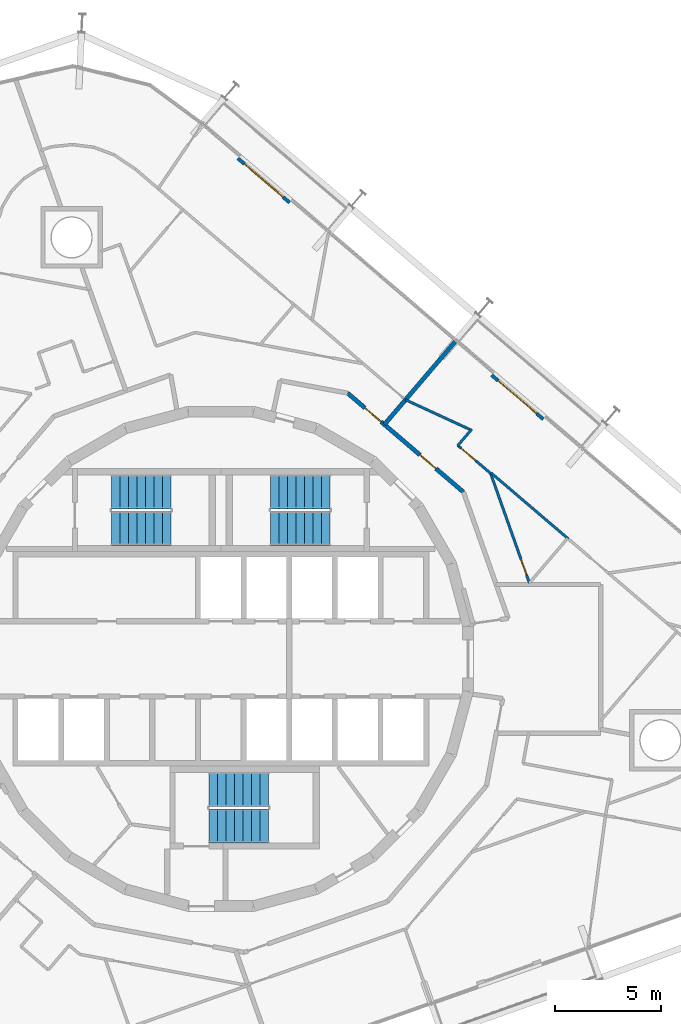
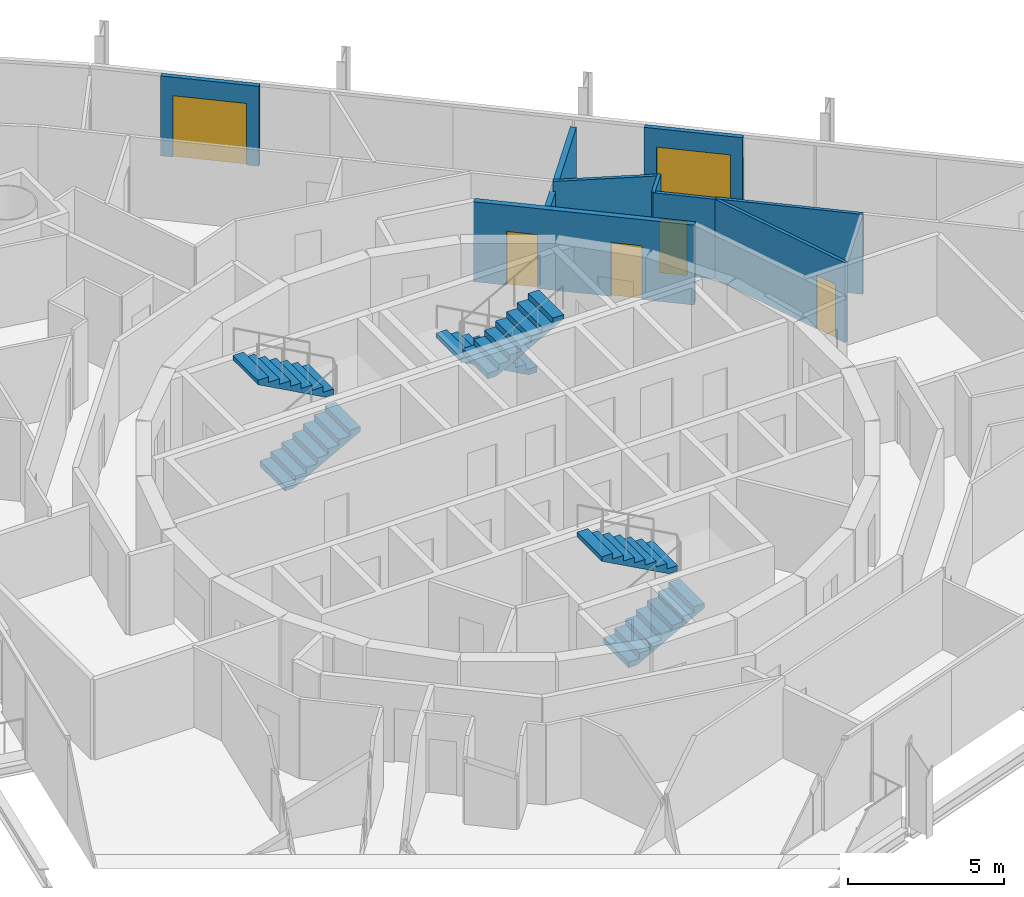
# One storey, part 16 of 17: 9 walls, 6 doors, 6 stair flights, 6 openings, 3 elements without a shape of their own.
"""IFC4 building model written with IfcOpenShell, lengths in metres."""

from ifc_helpers import new_model, si_unit, direction, frame, frame_2d, origin, place, context, subcontext, project, spatial, polyline, rectangle, outline, extrude, material, layer, layer_set, type_object, element, fill, aggregate, save


model = new_model("IFC4")

# Units and contexts
model_context = context("Model", 3, precision=1e-05, world=origin(), true_north=direction((0.0, 1.0)))
body_context = subcontext(model_context, "Body", "Model", "MODEL_VIEW")
ifc_project = project(units=[si_unit("LENGTHUNIT", "METRE"), si_unit("AREAUNIT", "SQUARE_METRE"), si_unit("VOLUMEUNIT", "CUBIC_METRE"), si_unit("PLANEANGLEUNIT", "RADIAN"), si_unit("MASSUNIT", "GRAM", prefix="KILO")], contexts=[model_context])

# Site, building, storey
site_placement = place(None, origin())
site = spatial("IfcSite", under=ifc_project, at=site_placement, CompositionType="ELEMENT")
building_placement = place(site_placement, origin())
building = spatial("IfcBuilding", under=site, at=building_placement, Name="Spindle Arch Residences", CompositionType="ELEMENT")
storey_placement = place(building_placement, frame((0.0, 0.0, 158.699951171875)))
storey = spatial("IfcBuildingStorey", under=building, at=storey_placement, Name="L39", CompositionType="ELEMENT", Elevation=158.699951171875)

# Wall, openings, doors
ifc_material_1 = material(Name="Calcium silicate block, plastered")
ifc_layer_1 = layer(ifc_material_1, 0.199951171875)
ifc_layer_set_1 = layer_set([ifc_layer_1], Name="Corridor wall 200")
wall_type_1 = type_object("IfcWallType", Name="Corridor wall 200", PredefinedType="STANDARD", material=ifc_layer_set_1)
wall_1_placement = place(storey_placement, frame((11.432861328125, 7.857666015625, 0.0), z_axis=(0.0, 0.0, 1.0), x_axis=(-0.760412154545, 0.649440801937, 0.0)))
wall_1 = element("IfcWall", 1, at=wall_1_placement, inside=storey, type_object=wall_type_1, Name="Corridor wall R4A0-W004", PredefinedType="STANDARD", context=body_context, shape_type="SweptSolid", body=[
    extrude(rectangle(XDim=7.180908203125, YDim=0.199951171875, at=frame_2d((3.59033203125, 0.0))), origin(), (0.0, 0.0, 1.0), 3.1201171875),
])
opening_1_placement = place(wall_1_placement, frame((1.699951171875, 0.0, 0.0)))
opening_1 = element("IfcOpeningElement", 2, at=opening_1_placement, cuts=wall_1, Name="Opening R4A0-FD01", PredefinedType="OPENING", context=body_context, shape_type="SweptSolid", body=[
    extrude(rectangle(XDim=1.0, YDim=2.10009765625, at=frame_2d((0.5, 1.050048828125))), frame((0.0, 0.10986328125, 0.0), z_axis=(0.0, -1.0, 0.0), x_axis=(1.0, 0.0, 0.0)), (0.0, 0.0, 1.0), 0.219970703125),
])
opening_2_placement = place(wall_1_placement, frame((5.1005859375, 0.0, 0.0)))
opening_2 = element("IfcOpeningElement", 3, at=opening_2_placement, cuts=wall_1, Name="Opening R4A0-FD02", PredefinedType="OPENING", context=body_context, shape_type="SweptSolid", body=[
    extrude(rectangle(XDim=1.0, YDim=2.10009765625, at=frame_2d((0.5, 1.050048828125))), frame((0.0, 0.10986328125, 0.0), z_axis=(0.0, -1.0, 0.0), x_axis=(1.0, 0.0, 0.0)), (0.0, 0.0, 1.0), 0.219970703125),
])
ifc_material_2 = material(Name="Timber, fire-resisting door set", Category="wood")
door_type_1 = type_object("IfcDoorType", Name="Flat entrance door 1000x2100", OperationType="NOTDEFINED", PredefinedType="DOOR", material=ifc_material_2)
door_1_placement = place(opening_1_placement, origin())
door_1 = element("IfcDoor", 4, at=door_1_placement, inside=storey, type_object=door_type_1, Name="Flat entrance door R4A0-FD01", OperationType="SINGLE_SWING_LEFT", OverallHeight=2.10009765625, OverallWidth=1.0, PredefinedType="DOOR", context=body_context, shape_type="SweptSolid", body=[
    extrude(rectangle(XDim=1.0, YDim=2.10009765625, at=frame_2d((0.5, 1.050048828125))), frame((0.0, 0.02490234375, 0.0), z_axis=(0.0, -1.0, 0.0), x_axis=(1.0, 0.0, 0.0)), (0.0, 0.0, 1.0), 0.050048828125),
])
fill(opening_1, door_1)
door_2_placement = place(opening_2_placement, origin())
door_2 = element("IfcDoor", 5, at=door_2_placement, inside=storey, type_object=door_type_1, Name="Flat entrance door R4A0-FD02", OperationType="SINGLE_SWING_RIGHT", OverallHeight=2.10009765625, OverallWidth=1.0, PredefinedType="DOOR", context=body_context, shape_type="SweptSolid", body=[
    extrude(rectangle(XDim=1.0, YDim=2.10009765625, at=frame_2d((0.5, 1.050048828125))), frame((0.0, 0.02490234375, 0.0), z_axis=(0.0, -1.0, 0.0), x_axis=(1.0, 0.0, 0.0)), (0.0, 0.0, 1.0), 0.050048828125),
])
fill(opening_2, door_2)

# Wall, opening, door
ifc_material_3 = material(Name="Plasterboard on steel studs", Category="steel")
ifc_layer_2 = layer(ifc_material_3, 0.1201171875)
ifc_layer_set_2 = layer_set([ifc_layer_2], Name="Flat partition 120")
wall_type_2 = type_object("IfcWallType", Name="Flat partition 120", PredefinedType="PARTITIONING", material=ifc_layer_set_2)
wall_2_placement = place(storey_placement, frame((14.540771484375, 3.57470703125, 0.0), z_axis=(0.0, 0.0, 1.0), x_axis=(-0.333799280318, 0.942644174893, 0.0)))
wall_2 = element("IfcWall", 6, at=wall_2_placement, inside=storey, type_object=wall_type_2, Name="Flat partition R4A0-W039", PredefinedType="PARTITIONING", context=body_context, shape_type="SweptSolid", body=[
    extrude(rectangle(XDim=5.476806640625, YDim=0.1201171875, at=frame_2d((2.73828125, 0.0))), origin(), (0.0, 0.0, 1.0), 3.1201171875),
])
opening_3_placement = place(wall_2_placement, frame((0.39990234375, 0.0, 0.0)))
opening_3 = element("IfcOpeningElement", 7, at=opening_3_placement, cuts=wall_2, Name="Opening R4A0-BD01", PredefinedType="OPENING", context=body_context, shape_type="SweptSolid", body=[
    extrude(rectangle(XDim=0.800048828125, YDim=2.10009765625, at=frame_2d((0.39990234375, 1.050048828125))), frame((0.0, 0.070068359375, 0.0), z_axis=(0.0, -1.0, 0.0), x_axis=(1.0, 0.0, 0.0)), (0.0, 0.0, 1.0), 0.14013671875),
])
ifc_material_4 = material(Name="Timber door set", Category="wood")
door_type_2 = type_object("IfcDoorType", Name="Bathroom door 800x2100", OperationType="NOTDEFINED", PredefinedType="DOOR", material=ifc_material_4)
door_3_placement = place(opening_3_placement, origin())
door_3 = element("IfcDoor", 8, at=door_3_placement, inside=storey, type_object=door_type_2, Name="Bathroom door R4A0-BD01", OperationType="SINGLE_SWING_LEFT", OverallHeight=2.10009765625, OverallWidth=0.800048828125, PredefinedType="DOOR", context=body_context, shape_type="SweptSolid", body=[
    extrude(rectangle(XDim=0.800048828125, YDim=2.10009765625, at=frame_2d((0.39990234375, 1.050048828125))), frame((0.0, 0.02490234375, 0.0), z_axis=(0.0, -1.0, 0.0), x_axis=(1.0, 0.0, 0.0)), (0.0, 0.0, 1.0), 0.050048828125),
])
fill(opening_3, door_3)

wall_3_placement = place(storey_placement, frame((12.712646484375, 8.7373046875, 0.0), z_axis=(0.0, 0.0, 1.0), x_axis=(-0.760410825807, 0.649442357716, 0.0)))
wall_3 = element("IfcWall", 9, at=wall_3_placement, inside=storey, type_object=wall_type_2, Name="Flat partition R4A0-W040", PredefinedType="PARTITIONING", context=body_context, shape_type="SweptSolid", body=[
    extrude(rectangle(XDim=2.028564453125, YDim=0.1201171875, at=frame_2d((1.01416015625, 0.0))), origin(), (0.0, 0.0, 1.0), 3.1201171875),
])
opening_4_placement = place(wall_3_placement, frame((0.9287109375, 0.0, 0.0)))
opening_4 = element("IfcOpeningElement", 10, at=opening_4_placement, cuts=wall_3, Name="Opening R4A0-ID01", PredefinedType="OPENING", context=body_context, shape_type="SweptSolid", body=[
    extrude(rectangle(XDim=0.89990234375, YDim=2.10009765625, at=frame_2d((0.449951171875, 1.050048828125))), frame((0.0, 0.070068359375, 0.0), z_axis=(0.0, -1.0, 0.0), x_axis=(1.0, 0.0, 0.0)), (0.0, 0.0, 1.0), 0.14013671875),
])
ifc_material_5 = material(Name="Timber door set", Category="wood")
door_type_3 = type_object("IfcDoorType", Name="Room door 900x2100", OperationType="NOTDEFINED", PredefinedType="DOOR", material=ifc_material_5)
door_4_placement = place(opening_4_placement, origin())
door_4 = element("IfcDoor", 11, at=door_4_placement, inside=storey, type_object=door_type_3, Name="Room door R4A0-ID01", OperationType="SINGLE_SWING_LEFT", OverallHeight=2.10009765625, OverallWidth=0.89990234375, PredefinedType="DOOR", context=body_context, shape_type="SweptSolid", body=[
    extrude(rectangle(XDim=0.89990234375, YDim=2.10009765625, at=frame_2d((0.449951171875, 1.050048828125))), frame((0.0, 0.02490234375, 0.0), z_axis=(0.0, -1.0, 0.0), x_axis=(1.0, 0.0, 0.0)), (0.0, 0.0, 1.0), 0.050048828125),
])
fill(opening_4, door_4)

# Walls
wall_4_placement = place(storey_placement, frame((12.734130859375, 8.76220703125, 0.0), z_axis=(0.0, 0.0, 1.0), x_axis=(0.760390484255, -0.649466174219, 0.0)))
element("IfcWall", 12, at=wall_4_placement, inside=storey, type_object=wall_type_2, Name="Flat partition R4A0-W041", PredefinedType="PARTITIONING", context=body_context, shape_type="SweptSolid", body=[
    extrude(rectangle(XDim=4.78271484375, YDim=0.1201171875, at=frame_2d((2.391357421875, 0.0))), origin(), (0.0, 0.0, 1.0), 3.1201171875),
])
wall_5_placement = place(storey_placement, frame((11.152587890625, 10.0341796875, 0.0), z_axis=(0.0, 0.0, 1.0), x_axis=(0.649381401329, 0.760462882466, 0.0)))
element("IfcWall", 13, at=wall_5_placement, inside=storey, type_object=wall_type_2, Name="Flat partition R4A0-W042", PredefinedType="PARTITIONING", context=body_context, shape_type="SweptSolid", body=[
    extrude(rectangle(XDim=1.041748046875, YDim=0.1201171875, at=frame_2d((0.52099609375, 0.0))), origin(), (0.0, 0.0, 1.0), 3.1201171875),
])
wall_6_placement = place(storey_placement, frame((11.790283203125, 10.78076171875, 0.0), z_axis=(0.0, 0.0, 1.0), x_axis=(-0.907999296286, 0.418971691101, 0.0)))
element("IfcWall", 14, at=wall_6_placement, inside=storey, type_object=wall_type_2, Name="Flat partition R4A0-W043", PredefinedType="PARTITIONING", context=body_context, shape_type="SweptSolid", body=[
    extrude(rectangle(XDim=3.4013671875, YDim=0.1201171875, at=frame_2d((1.70068359375, 0.0))), origin(), (0.0, 0.0, 1.0), 3.1201171875),
])
ifc_material_6 = material(Name="Calcium silicate block, plastered")
ifc_layer_3 = layer(ifc_material_6, 0.199951171875)
ifc_layer_set_3 = layer_set([ifc_layer_3], Name="Flat party wall 200 under beam 2730")
wall_type_3 = type_object("IfcWallType", Name="Flat party wall 200 under beam 2730", PredefinedType="STANDARD", material=ifc_layer_set_3)
wall_7_placement = place(storey_placement, frame((11.0400390625, 14.943359375, 0.0), z_axis=(0.0, 0.0, 1.0), x_axis=(-0.649442880087, -0.760410379666, 0.0)))
element("IfcWall", 15, at=wall_7_placement, inside=storey, type_object=wall_type_3, Name="Flat party wall R4A0-W027", PredefinedType="STANDARD", context=body_context, shape_type="SweptSolid", body=[
    extrude(rectangle(XDim=5.1328125, YDim=0.199951171875, at=frame_2d((2.56640625, 0.0))), origin(), (0.0, 0.0, 1.0), 2.72998046875),
])

# Wall, opening, door
ifc_material_7 = material(Name="Non-combustible mineral wool insulated aluminium faced external wall (K0)", Category="aluminium")
ifc_layer_4 = layer(ifc_material_7, 0.159912109375)
ifc_layer_set_4 = layer_set([ifc_layer_4], Name="Insulated external wall panel 160")
wall_type_4 = type_object("IfcWallType", Name="Insulated external wall panel 160", PredefinedType="STANDARD", material=ifc_layer_set_4)
wall_8_placement = place(storey_placement, frame((15.193115234375, 11.291015625, 0.0), z_axis=(0.0, 0.0, 1.0), x_axis=(-0.760391731187, 0.649464714317, 0.0)))
wall_8 = element("IfcWall", 16, at=wall_8_placement, inside=storey, type_object=wall_type_4, Name="External wall L39 bay 7", PredefinedType="STANDARD", context=body_context, shape_type="SweptSolid", body=[
    extrude(rectangle(XDim=3.2001953125, YDim=0.159912109375, at=frame_2d((1.60009765625, 0.0))), origin(), (0.0, 0.0, 1.0), 3.1201171875),
])
opening_5_placement = place(wall_8_placement, frame((0.39990234375, 0.0, 0.0)))
opening_5 = element("IfcOpeningElement", 17, at=opening_5_placement, cuts=wall_8, Name="Opening BD07", PredefinedType="OPENING", context=body_context, shape_type="SweptSolid", body=[
    extrude(rectangle(XDim=2.39990234375, YDim=2.39990234375, at=frame_2d((1.199951171875, 1.199951171875))), frame((0.0, 0.08984375, 0.0), z_axis=(0.0, -1.0, 0.0), x_axis=(1.0, 0.0, 0.0)), (0.0, 0.0, 1.0), 0.179931640625),
])
ifc_material_8 = material(Name="Bronze aluminium frame, tinted double glazing", Category="aluminium")
door_type_4 = type_object("IfcDoorType", Name="Sliding glazed balcony door 2400x2400", OperationType="DOUBLE_DOOR_SLIDING", PredefinedType="DOOR", material=ifc_material_8)
door_5_placement = place(opening_5_placement, origin())
door_5 = element("IfcDoor", 18, at=door_5_placement, inside=storey, type_object=door_type_4, Name="Balcony door BD07", OperationType="DOUBLE_DOOR_SLIDING", OverallHeight=2.39990234375, OverallWidth=2.39990234375, PredefinedType="DOOR", context=body_context, shape_type="SweptSolid", body=[
    extrude(rectangle(XDim=2.39990234375, YDim=2.39990234375, at=frame_2d((1.199951171875, 1.199951171875))), frame((0.0, 0.02490234375, 0.0), z_axis=(0.0, -1.0, 0.0), x_axis=(1.0, 0.0, 0.0)), (0.0, 0.0, 1.0), 0.050048828125),
])
fill(opening_5, door_5)

wall_9_placement = place(storey_placement, frame((3.239501953125, 21.50048828125, 0.0), z_axis=(0.0, 0.0, 1.0), x_axis=(-0.760429407868, 0.649420599957, 0.0)))
wall_9 = element("IfcWall", 19, at=wall_9_placement, inside=storey, type_object=wall_type_4, Name="External wall L39 bay 9", PredefinedType="STANDARD", context=body_context, shape_type="SweptSolid", body=[
    extrude(rectangle(XDim=3.199951171875, YDim=0.159912109375, at=frame_2d((1.60009765625, 0.0))), origin(), (0.0, 0.0, 1.0), 3.1201171875),
])
opening_6_placement = place(wall_9_placement, frame((0.39990234375, 0.0, 0.0)))
opening_6 = element("IfcOpeningElement", 20, at=opening_6_placement, cuts=wall_9, Name="Opening BD09", PredefinedType="OPENING", context=body_context, shape_type="SweptSolid", body=[
    extrude(rectangle(XDim=2.39990234375, YDim=2.39990234375, at=frame_2d((1.199951171875, 1.199951171875))), frame((0.0, 0.08984375, 0.0), z_axis=(0.0, -1.0, 0.0), x_axis=(1.0, 0.0, 0.0)), (0.0, 0.0, 1.0), 0.179931640625),
])
door_6_placement = place(opening_6_placement, origin())
door_6 = element("IfcDoor", 21, at=door_6_placement, inside=storey, type_object=door_type_4, Name="Balcony door BD09", OperationType="DOUBLE_DOOR_SLIDING", OverallHeight=2.39990234375, OverallWidth=2.39990234375, PredefinedType="DOOR", context=body_context, shape_type="SweptSolid", body=[
    extrude(rectangle(XDim=2.39990234375, YDim=2.39990234375, at=frame_2d((1.199951171875, 1.199951171875))), frame((0.0, 0.02490234375, 0.0), z_axis=(0.0, -1.0, 0.0), x_axis=(1.0, 0.0, 0.0)), (0.0, 0.0, 1.0), 0.050048828125),
])
fill(opening_6, door_6)

# Stair, stair flights
ifc_material_9 = material(Name="Concrete C50/60", Category="concrete")
stair_type = type_object("IfcStairType", Name="Exit stair 16 risers", PredefinedType="HALF_TURN_STAIR", material=ifc_material_9)
stair_1_placement = place(storey_placement, origin())
stair_1 = element("IfcStair", 22, at=stair_1_placement, inside=storey, type_object=stair_type, Name="L39 Exit stair ST1", PredefinedType="HALF_TURN_STAIR")
ifc_material_10 = material(Name="Concrete C50/60", Category="concrete")
stair_flight_type = type_object("IfcStairFlightType", Name="Exit stair flight", PredefinedType="STRAIGHT", material=ifc_material_10)
stair_flight_1_placement = place(storey_placement, frame((5.14990234375, 7.8701171875, 0.0), z_axis=(0.0, 0.0, 1.0), x_axis=(-1.0, 0.0, 0.0)))
stair_flight_1 = element("IfcStairFlight", 23, at=stair_flight_1_placement, type_object=stair_flight_type, Name="ST1 flight 1", NumberOfRisers=8, NumberOfTreads=7, PredefinedType="STRAIGHT", RiserHeight=0.21875, TreadLength=0.4, context=body_context, shape_type="SweptSolid", body=[
    extrude(outline(polyline([(0.0, 0.0), (0.0, 0.21875), (0.39990234375, 0.21875), (0.39990234375, 0.4375), (0.800048828125, 0.4375), (0.800048828125, 0.65625), (1.199951171875, 0.65625), (1.199951171875, 0.875), (1.60009765625, 0.875), (1.60009765625, 1.09375), (2.0, 1.09375), (2.0, 1.3125), (2.39990234375, 1.3125), (2.39990234375, 1.53125), (2.800048828125, 1.53125), (2.800048828125, 1.75), (2.800048828125, 1.3603515625), (0.3125, 0.0), (0.0, 0.0)])), frame((0.0, 0.800048828125, 0.0), z_axis=(0.0, -1.0, 0.0), x_axis=(1.0, 0.0, 0.0)), (0.0, 0.0, 1.0), 1.60009765625),
])
stair_flight_2_placement = place(storey_placement, frame((2.35009765625, 6.14990234375, 1.75), z_axis=(0.0, 0.0, 1.0), x_axis=(1.0, 0.0, 0.0)))
stair_flight_2 = element("IfcStairFlight", 24, at=stair_flight_2_placement, type_object=stair_flight_type, Name="ST1 flight 2", NumberOfRisers=8, NumberOfTreads=7, PredefinedType="STRAIGHT", RiserHeight=0.21875, TreadLength=0.4, context=body_context, shape_type="SweptSolid", body=[
    extrude(outline(polyline([(0.0, 0.0), (0.0, 0.21875), (0.39990234375, 0.21875), (0.39990234375, 0.4375), (0.800048828125, 0.4375), (0.800048828125, 0.65625), (1.199951171875, 0.65625), (1.199951171875, 0.875), (1.60009765625, 0.875), (1.60009765625, 1.09375), (2.0, 1.09375), (2.0, 1.3125), (2.39990234375, 1.3125), (2.39990234375, 1.53125), (2.800048828125, 1.53125), (2.800048828125, 1.75), (2.800048828125, 1.3603515625), (0.3125, 0.0), (0.0, 0.0)])), frame((0.0, 0.800048828125, 0.0), z_axis=(0.0, -1.0, 0.0), x_axis=(1.0, 0.0, 0.0)), (0.0, 0.0, 1.0), 1.60009765625),
])
aggregate(stair_1, [stair_flight_1, stair_flight_2])

stair_2_placement = place(storey_placement, origin())
stair_2 = element("IfcStair", 25, at=stair_2_placement, inside=storey, type_object=stair_type, Name="L39 Exit stair ST2", PredefinedType="HALF_TURN_STAIR")
stair_flight_3_placement = place(storey_placement, frame((-5.14990234375, 6.14990234375, 0.0), z_axis=(0.0, 0.0, 1.0), x_axis=(1.0, 0.0, 0.0)))
stair_flight_3 = element("IfcStairFlight", 26, at=stair_flight_3_placement, type_object=stair_flight_type, Name="ST2 flight 1", NumberOfRisers=8, NumberOfTreads=7, PredefinedType="STRAIGHT", RiserHeight=0.21875, TreadLength=0.4, context=body_context, shape_type="SweptSolid", body=[
    extrude(outline(polyline([(0.0, 0.0), (0.0, 0.21875), (0.39990234375, 0.21875), (0.39990234375, 0.4375), (0.800048828125, 0.4375), (0.800048828125, 0.65625), (1.199951171875, 0.65625), (1.199951171875, 0.875), (1.60009765625, 0.875), (1.60009765625, 1.09375), (2.0, 1.09375), (2.0, 1.3125), (2.39990234375, 1.3125), (2.39990234375, 1.53125), (2.800048828125, 1.53125), (2.800048828125, 1.75), (2.800048828125, 1.3603515625), (0.3125, 0.0), (0.0, 0.0)])), frame((0.0, 0.800048828125, 0.0), z_axis=(0.0, -1.0, 0.0), x_axis=(1.0, 0.0, 0.0)), (0.0, 0.0, 1.0), 1.60009765625),
])
stair_flight_4_placement = place(storey_placement, frame((-2.35009765625, 7.8701171875, 1.75), z_axis=(0.0, 0.0, 1.0), x_axis=(-1.0, 0.0, 0.0)))
stair_flight_4 = element("IfcStairFlight", 27, at=stair_flight_4_placement, type_object=stair_flight_type, Name="ST2 flight 2", NumberOfRisers=8, NumberOfTreads=7, PredefinedType="STRAIGHT", RiserHeight=0.21875, TreadLength=0.4, context=body_context, shape_type="SweptSolid", body=[
    extrude(outline(polyline([(0.0, 0.0), (0.0, 0.21875), (0.39990234375, 0.21875), (0.39990234375, 0.4375), (0.800048828125, 0.4375), (0.800048828125, 0.65625), (1.199951171875, 0.65625), (1.199951171875, 0.875), (1.60009765625, 0.875), (1.60009765625, 1.09375), (2.0, 1.09375), (2.0, 1.3125), (2.39990234375, 1.3125), (2.39990234375, 1.53125), (2.800048828125, 1.53125), (2.800048828125, 1.75), (2.800048828125, 1.3603515625), (0.3125, 0.0), (0.0, 0.0)])), frame((0.0, 0.800048828125, 0.0), z_axis=(0.0, -1.0, 0.0), x_axis=(1.0, 0.0, 0.0)), (0.0, 0.0, 1.0), 1.60009765625),
])
aggregate(stair_2, [stair_flight_3, stair_flight_4])

stair_3_placement = place(storey_placement, origin())
stair_3 = element("IfcStair", 28, at=stair_3_placement, inside=storey, type_object=stair_type, Name="L39 Exit stair ST3", PredefinedType="HALF_TURN_STAIR")
stair_flight_5_placement = place(storey_placement, frame((-0.550048828125, -7.8701171875, 0.0), z_axis=(0.0, 0.0, 1.0), x_axis=(1.0, 0.0, 0.0)))
stair_flight_5 = element("IfcStairFlight", 29, at=stair_flight_5_placement, type_object=stair_flight_type, Name="ST3 flight 1", NumberOfRisers=8, NumberOfTreads=7, PredefinedType="STRAIGHT", RiserHeight=0.21875, TreadLength=0.4, context=body_context, shape_type="SweptSolid", body=[
    extrude(outline(polyline([(0.0, 0.0), (0.0, 0.21875), (0.39990234375, 0.21875), (0.39990234375, 0.4375), (0.800048828125, 0.4375), (0.800048828125, 0.65625), (1.199951171875, 0.65625), (1.199951171875, 0.875), (1.60009765625, 0.875), (1.60009765625, 1.09375), (2.0, 1.09375), (2.0, 1.3125), (2.39990234375, 1.3125), (2.39990234375, 1.53125), (2.800048828125, 1.53125), (2.800048828125, 1.75), (2.800048828125, 1.3603515625), (0.3125, 0.0), (0.0, 0.0)])), frame((0.0, 0.800048828125, 0.0), z_axis=(0.0, -1.0, 0.0), x_axis=(1.0, 0.0, 0.0)), (0.0, 0.0, 1.0), 1.60009765625),
])
stair_flight_6_placement = place(storey_placement, frame((2.25, -6.14990234375, 1.75), z_axis=(0.0, 0.0, 1.0), x_axis=(-1.0, 0.0, 0.0)))
stair_flight_6 = element("IfcStairFlight", 30, at=stair_flight_6_placement, type_object=stair_flight_type, Name="ST3 flight 2", NumberOfRisers=8, NumberOfTreads=7, PredefinedType="STRAIGHT", RiserHeight=0.21875, TreadLength=0.4, context=body_context, shape_type="SweptSolid", body=[
    extrude(outline(polyline([(0.0, 0.0), (0.0, 0.21875), (0.39990234375, 0.21875), (0.39990234375, 0.4375), (0.800048828125, 0.4375), (0.800048828125, 0.65625), (1.199951171875, 0.65625), (1.199951171875, 0.875), (1.60009765625, 0.875), (1.60009765625, 1.09375), (2.0, 1.09375), (2.0, 1.3125), (2.39990234375, 1.3125), (2.39990234375, 1.53125), (2.800048828125, 1.53125), (2.800048828125, 1.75), (2.800048828125, 1.3603515625), (0.3125, 0.0), (0.0, 0.0)])), frame((0.0, 0.800048828125, 0.0), z_axis=(0.0, -1.0, 0.0), x_axis=(1.0, 0.0, 0.0)), (0.0, 0.0, 1.0), 1.60009765625),
])
aggregate(stair_3, [stair_flight_5, stair_flight_6])

save(model, "model.ifc")
